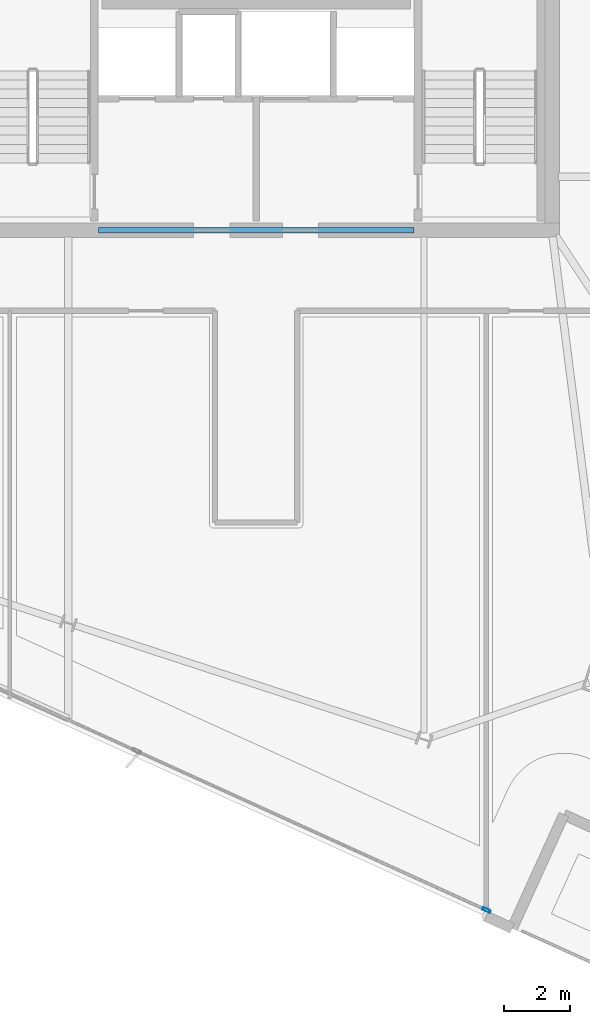
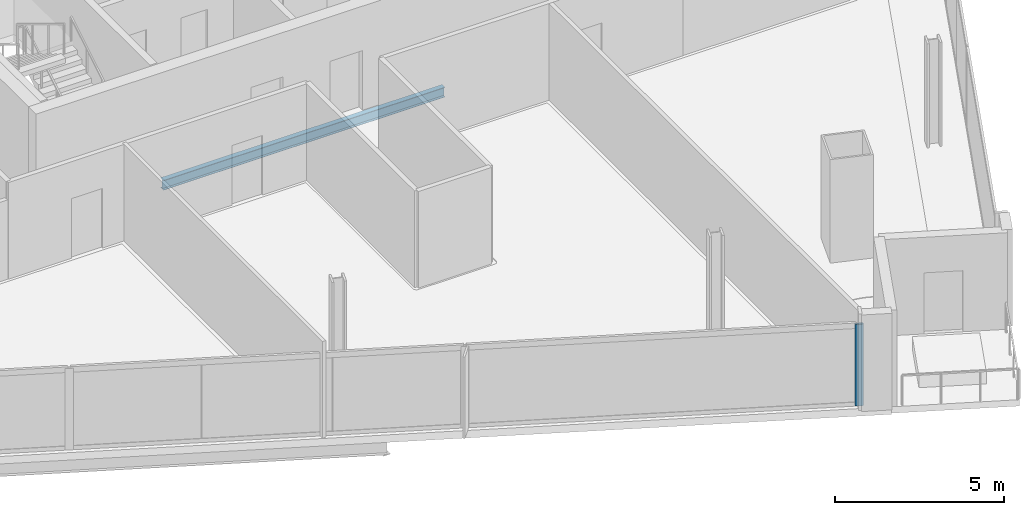
# One storey, part 7 of 26: 1 beam, 1 member, 1 element without a shape of its own.
"""IFC4 building model written with IfcOpenShell, lengths in metres."""

from ifc_helpers import new_model, si_unit, direction, frame, origin, origin_2d, place, context, subcontext, project, spatial, hollow_rectangle, i_section, extrude, material, material_profile, profile_set, type_object, element, aggregate, save


model = new_model("IFC4")

# Units and contexts
model_context = context("Model", 3, precision=1e-05, world=origin(), true_north=direction((0.0, 1.0)))
body_context = subcontext(model_context, "Body", "Model", "MODEL_VIEW")
ifc_project = project(units=[si_unit("LENGTHUNIT", "METRE"), si_unit("AREAUNIT", "SQUARE_METRE"), si_unit("VOLUMEUNIT", "CUBIC_METRE"), si_unit("PLANEANGLEUNIT", "RADIAN"), si_unit("MASSUNIT", "GRAM", prefix="KILO")], contexts=[model_context])

# Site, building, storey
site_placement = place(None, origin())
site = spatial("IfcSite", under=ifc_project, at=site_placement, CompositionType="ELEMENT")
building_placement = place(site_placement, origin())
building = spatial("IfcBuilding", under=site, at=building_placement, Name="Haldenkirk Collegiate Tower", CompositionType="ELEMENT")
storey_placement = place(building_placement, frame((0.0, 0.0, 248.699951171875)))
storey = spatial("IfcBuildingStorey", under=building, at=storey_placement, Name="L62", CompositionType="ELEMENT", Elevation=248.699951171875)

# Beam
ifc_material_1 = material(Name="Steel ASTM A992 Grade 50", Category="steel")
ifc_material_profile_1 = material_profile(ifc_material_1, i_section(OverallWidth=0.1708984375, OverallDepth=0.35595703125, WebThickness=0.007080078125, FlangeThickness=0.01171875, at=origin_2d()), Name="W14X34")
ifc_profile_set_1 = profile_set([ifc_material_profile_1], Name="Steel ASTM A992 Grade 50")
beam_type = type_object("IfcBeamType", Name="BM-LINTEL-W14X34", PredefinedType="LINTEL", material=ifc_profile_set_1)
beam_placement = place(storey_placement, frame((31.199951171875, 18.0, -0.447998046875), z_axis=(1.0, 0.0, 0.0), x_axis=(0.0, 1.0, 0.0)))
element("IfcBeam", 1, at=beam_placement, inside=storey, type_object=beam_type, Name="L62 south core coupling lintel", PredefinedType="LINTEL", context=body_context, shape_type="SweptSolid", body=[
    extrude(i_section(OverallWidth=0.1708984375, OverallDepth=0.35595703125, WebThickness=0.007080078125, FlangeThickness=0.01171875, at=origin_2d()), origin(), (0.0, 0.0, 1.0), 9.60009765625),
])

# Curtain wall, member
ifc_material_2 = material(Name="Anodised architectural bronze aluminium", Category="aluminium")
curtain_wall_type = type_object("IfcCurtainWallType", Name="CW-SYS1B-CONVEX-HI", PredefinedType="USERDEFINED", material=ifc_material_2)
curtain_wall_placement = place(storey_placement, origin())
curtain_wall = element("IfcCurtainWall", 2, at=curtain_wall_placement, inside=storey, type_object=curtain_wall_type, Name="L62 Upper tower high-wind convex bronze unitised curtain wall", ObjectType="UNITISED CURTAIN WALL", PredefinedType="USERDEFINED")
ifc_material_profile_2 = material_profile(ifc_material_2, hollow_rectangle(XDim=0.0849609375, YDim=0.25, WallThickness=0.0048828125, at=origin_2d()), Name="CW-MUL-1B")
ifc_profile_set_2 = profile_set([ifc_material_profile_2], Name="Anodised architectural bronze aluminium")
member_type = type_object("IfcMemberType", Name="CW-MUL-1B", PredefinedType="MULLION", material=ifc_profile_set_2)
member_placement = place(storey_placement, frame((43.009521484375, -2.6943359375, 0.0), z_axis=(0.0, 0.0, 1.0), x_axis=(-0.413897548196, -0.910323469761, 0.0)))
member = element("IfcMember", 3, at=member_placement, type_object=member_type, Name="CW-1B mullion 1", PredefinedType="MULLION", context=body_context, shape_type="SweptSolid", body=[
    extrude(hollow_rectangle(XDim=0.0849609375, YDim=0.25, WallThickness=0.0048828125, at=origin_2d()), origin(), (0.0, 0.0, 1.0), 2.93798828125),
])
aggregate(curtain_wall, [member])

save(model, "model.ifc")
